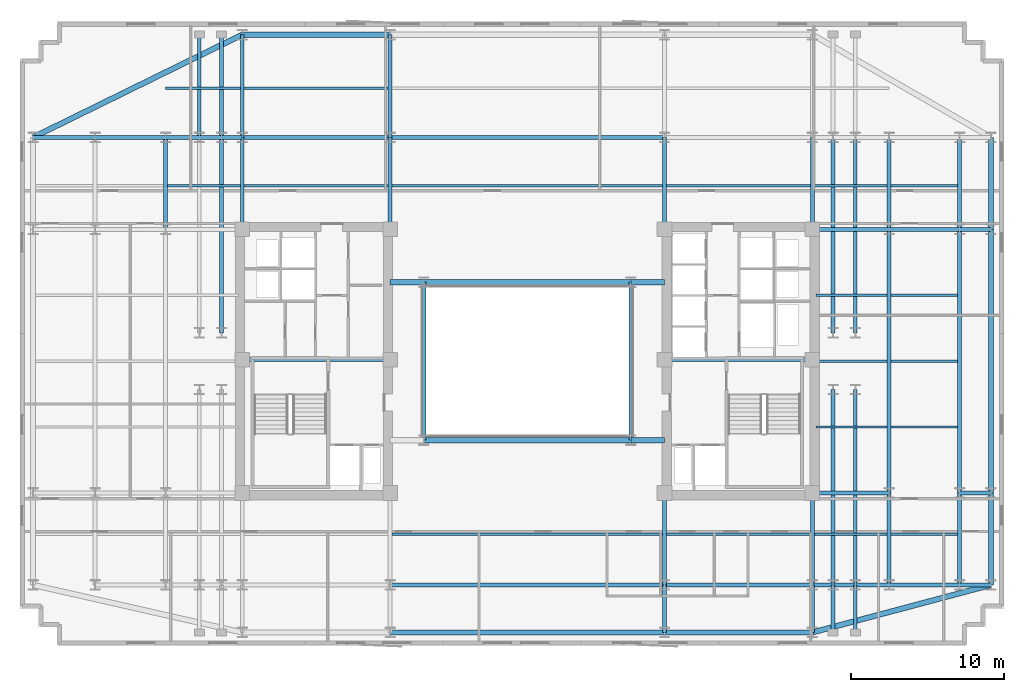
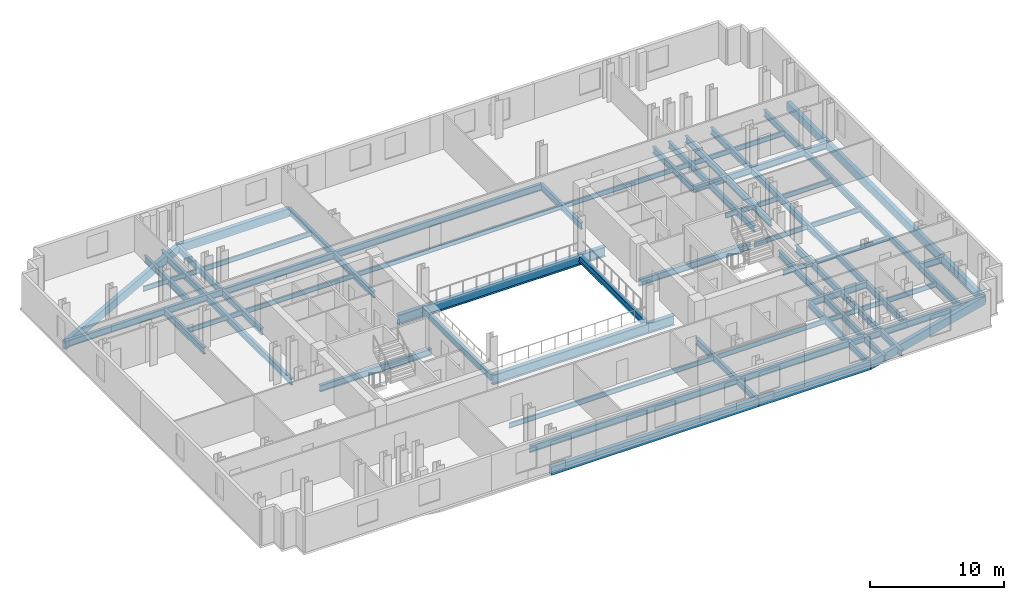
# One storey, part 2 of 9: 76 beams.
"""IFC4 building model written with IfcOpenShell, lengths in metres."""

from ifc_helpers import new_model, si_unit, direction, frame, origin, origin_2d, place, context, subcontext, project, spatial, rectangle, i_section, extrude, material, material_profile, profile_set, type_object, element, save


model = new_model("IFC4")

# Units and contexts
model_context = context("Model", 3, precision=1e-05, world=origin(), true_north=direction((0.0, 1.0)))
body_context = subcontext(model_context, "Body", "Model", "MODEL_VIEW")
ifc_project = project(units=[si_unit("LENGTHUNIT", "METRE"), si_unit("AREAUNIT", "SQUARE_METRE"), si_unit("VOLUMEUNIT", "CUBIC_METRE"), si_unit("PLANEANGLEUNIT", "RADIAN"), si_unit("MASSUNIT", "GRAM", prefix="KILO")], contexts=[model_context])

# Site, building, storey
site_placement = place(None, origin())
site = spatial("IfcSite", under=ifc_project, at=site_placement, CompositionType="ELEMENT")
building_placement = place(site_placement, origin())
building = spatial("IfcBuilding", under=site, at=building_placement, Name="Velakula Bourse", CompositionType="ELEMENT")
storey_placement = place(building_placement, frame((0.0, 0.0, 138.10009765625)))
storey = spatial("IfcBuildingStorey", under=building, at=storey_placement, Name="L37", CompositionType="ELEMENT", Elevation=138.10009765625)

# Beams
ifc_material_1 = material(Name="Steel IS 2062 Grade 350 (E350)", Category="steel")
ifc_material_profile_1 = material_profile(ifc_material_1, i_section(OverallWidth=0.25, OverallDepth=0.60009765625, WebThickness=0.01123046875, FlangeThickness=0.021240234375, at=origin_2d()), Name="Steel IS 2062 Grade 350 (E350)")
ifc_profile_set_1 = profile_set([ifc_material_profile_1], Name="Steel IS 2062 Grade 350 (E350)")
beam_type_1 = type_object("IfcBeamType", Name="BM-GRD-600M", PredefinedType="BEAM", material=ifc_profile_set_1)
for number, where, z_axis, x_axis, name in (
    (1, (-18.60009765625, 0.10009765625, -0.47998046875), (1.0, 0.0, 0.0), (0.0, 1.0, 0.0), "L37 Primary Backbone Girder CRW-M"),
    (2, (8.949951171875, 0.10009765625, -0.47998046875), (1.0, 0.0, 0.0), (0.0, 1.0, 0.0), "L37 Primary Backbone Girder CRE-M"),
):
    element("IfcBeam", number, at=place(storey_placement, frame(where, z_axis=z_axis, x_axis=x_axis)), inside=storey, type_object=beam_type_1, Name=name, PredefinedType="BEAM", context=body_context, shape_type="SweptSolid", body=[
        extrude(i_section(OverallWidth=0.25, OverallDepth=0.60009765625, WebThickness=0.01123046875, FlangeThickness=0.021240234375, at=origin_2d()), origin(), (0.0, 0.0, 1.0), 9.650146484375),
    ])
for number, where, z_axis, x_axis, name in (
    (3, (-6.75, -5.14990234375, -0.47998046875), (0.0, 1.0, 0.0), (-1.0, 0.0, 0.0), "L37 Primary Backbone Girder SPN-W"),
    (4, (6.75, -5.14990234375, -0.47998046875), (0.0, 1.0, 0.0), (-1.0, 0.0, 0.0), "L37 Primary Backbone Girder SPN-E"),
):
    element("IfcBeam", number, at=place(storey_placement, frame(where, z_axis=z_axis, x_axis=x_axis)), inside=storey, type_object=beam_type_1, Name=name, PredefinedType="BEAM", context=body_context, shape_type="SweptSolid", body=[
        extrude(i_section(OverallWidth=0.25, OverallDepth=0.60009765625, WebThickness=0.01123046875, FlangeThickness=0.021240234375, at=origin_2d()), origin(), (0.0, 0.0, 1.0), 10.2998046875),
    ])
for number, where, z_axis, x_axis, name in (
    (5, (-18.60009765625, 8.60009765625, -0.47998046875), (0.0, 1.0, 0.0), (-1.0, 0.0, 0.0), "L37 Fulcrum Grid Girder FLC-WN"),
    (6, (-8.949951171875, 8.60009765625, -0.47998046875), (0.0, 1.0, 0.0), (-1.0, 0.0, 0.0), "L37 Fulcrum Grid Girder FLC-WCN"),
    (7, (8.949951171875, -14.60009765625, -0.47998046875), (0.0, 1.0, 0.0), (-1.0, 0.0, 0.0), "L37 Fulcrum Grid Girder FLC-ECS"),
    (8, (8.949951171875, 8.60009765625, -0.47998046875), (0.0, 1.0, 0.0), (-1.0, 0.0, 0.0), "L37 Fulcrum Grid Girder FLC-ECN"),
    (9, (18.60009765625, -14.60009765625, -0.47998046875), (0.0, 1.0, 0.0), (-1.0, 0.0, 0.0), "L37 Fulcrum Grid Girder FLC-ES"),
    (10, (18.60009765625, 8.60009765625, -0.47998046875), (0.0, 1.0, 0.0), (-1.0, 0.0, 0.0), "L37 Fulcrum Grid Girder FLC-EN"),
):
    element("IfcBeam", number, at=place(storey_placement, frame(where, z_axis=z_axis, x_axis=x_axis)), inside=storey, type_object=beam_type_1, Name=name, PredefinedType="BEAM", context=body_context, shape_type="SweptSolid", body=[
        extrude(i_section(OverallWidth=0.25, OverallDepth=0.60009765625, WebThickness=0.01123046875, FlangeThickness=0.021240234375, at=origin_2d()), origin(), (0.0, 0.0, 1.0), 6.0),
    ])
beam_1_placement = place(storey_placement, frame((-8.949951171875, -14.60009765625, -0.47998046875), z_axis=(1.0, 0.0, 0.0), x_axis=(0.0, 1.0, 0.0)))
element("IfcBeam", 11, at=beam_1_placement, inside=storey, type_object=beam_type_1, Name="L37 Fulcrum Grid Girder FLC-S2", PredefinedType="BEAM", context=body_context, shape_type="SweptSolid", body=[
    extrude(i_section(OverallWidth=0.25, OverallDepth=0.60009765625, WebThickness=0.01123046875, FlangeThickness=0.021240234375, at=origin_2d()), origin(), (0.0, 0.0, 1.0), 17.89990234375),
])
for number, where, z_axis, x_axis, name in (
    (12, (8.949951171875, -14.60009765625, -0.47998046875), (1.0, 0.0, 0.0), (0.0, 1.0, 0.0), "L37 Fulcrum Grid Girder FLC-S3"),
    (13, (-18.60009765625, 14.60009765625, -0.47998046875), (1.0, 0.0, 0.0), (0.0, 1.0, 0.0), "L37 Fulcrum Grid Girder FLC-N1"),
):
    element("IfcBeam", number, at=place(storey_placement, frame(where, z_axis=z_axis, x_axis=x_axis)), inside=storey, type_object=beam_type_1, Name=name, PredefinedType="BEAM", context=body_context, shape_type="SweptSolid", body=[
        extrude(i_section(OverallWidth=0.25, OverallDepth=0.60009765625, WebThickness=0.01123046875, FlangeThickness=0.021240234375, at=origin_2d()), origin(), (0.0, 0.0, 1.0), 9.650146484375),
    ])
beam_2_placement = place(storey_placement, frame((-8.949951171875, 14.60009765625, -0.47998046875), z_axis=(1.0, 0.0, 0.0), x_axis=(0.0, 1.0, 0.0)))
element("IfcBeam", 14, at=beam_2_placement, inside=storey, type_object=beam_type_1, Name="L37 Fulcrum Grid Girder FLC-N2", PredefinedType="BEAM", context=body_context, shape_type="SweptSolid", body=[
    extrude(i_section(OverallWidth=0.25, OverallDepth=0.60009765625, WebThickness=0.01123046875, FlangeThickness=0.021240234375, at=origin_2d()), origin(), (0.0, 0.0, 1.0), 17.89990234375),
])
for number, where, z_axis, x_axis, name in (
    (15, (-19.949951171875, 1.85009765625, -0.47998046875), (0.0, 1.0, 0.0), (-1.0, 0.0, 0.0), "L37 Fulcrum Grid Girder FLC-PNW2"),
    (16, (19.949951171875, -14.60009765625, -0.47998046875), (0.0, 1.0, 0.0), (-1.0, 0.0, 0.0), "L37 Fulcrum Grid Girder FLC-PSE1"),
    (17, (19.949951171875, 1.85009765625, -0.47998046875), (0.0, 1.0, 0.0), (-1.0, 0.0, 0.0), "L37 Fulcrum Grid Girder FLC-PNE1"),
    (18, (21.39990234375, -14.60009765625, -0.47998046875), (0.0, 1.0, 0.0), (-1.0, 0.0, 0.0), "L37 Fulcrum Grid Girder FLC-PSE2"),
    (19, (21.39990234375, 1.85009765625, -0.47998046875), (0.0, 1.0, 0.0), (-1.0, 0.0, 0.0), "L37 Fulcrum Grid Girder FLC-PNE2"),
):
    element("IfcBeam", number, at=place(storey_placement, frame(where, z_axis=z_axis, x_axis=x_axis)), inside=storey, type_object=beam_type_1, Name=name, PredefinedType="BEAM", context=body_context, shape_type="SweptSolid", body=[
        extrude(i_section(OverallWidth=0.25, OverallDepth=0.60009765625, WebThickness=0.01123046875, FlangeThickness=0.021240234375, at=origin_2d()), origin(), (0.0, 0.0, 1.0), 12.75),
    ])
beam_3_placement = place(storey_placement, frame((-23.60009765625, 14.60009765625, -0.47998046875), z_axis=(1.0, 0.0, 0.0), x_axis=(0.0, 1.0, 0.0)))
element("IfcBeam", 20, at=beam_3_placement, inside=storey, type_object=beam_type_1, Name="L37 Fulcrum Grid Girder MWG-WN2", PredefinedType="BEAM", context=body_context, shape_type="SweptSolid", body=[
    extrude(i_section(OverallWidth=0.25, OverallDepth=0.60009765625, WebThickness=0.01123046875, FlangeThickness=0.021240234375, at=origin_2d()), origin(), (0.0, 0.0, 1.0), 5.0),
])
beam_4_placement = place(storey_placement, frame((-23.60009765625, 8.60009765625, -0.47998046875), z_axis=(0.0, 1.0, 0.0), x_axis=(-1.0, 0.0, 0.0)))
element("IfcBeam", 21, at=beam_4_placement, inside=storey, type_object=beam_type_1, Name="L37 Fulcrum Grid Girder MWG-WNS3", PredefinedType="BEAM", context=body_context, shape_type="SweptSolid", body=[
    extrude(i_section(OverallWidth=0.25, OverallDepth=0.60009765625, WebThickness=0.01123046875, FlangeThickness=0.021240234375, at=origin_2d()), origin(), (0.0, 0.0, 1.0), 6.0),
])
for number, where, z_axis, x_axis, name in (
    (22, (18.60009765625, -14.60009765625, -0.47998046875), (1.0, 0.0, 0.0), (0.0, 1.0, 0.0), "L37 Fulcrum Grid Girder MWG-ES1"),
    (23, (18.60009765625, -8.60009765625, -0.47998046875), (1.0, 0.0, 0.0), (0.0, 1.0, 0.0), "L37 Fulcrum Grid Girder MWG-ES2"),
    (24, (18.60009765625, 8.60009765625, -0.47998046875), (1.0, 0.0, 0.0), (0.0, 1.0, 0.0), "L37 Fulcrum Grid Girder MWG-EN1"),
):
    element("IfcBeam", number, at=place(storey_placement, frame(where, z_axis=z_axis, x_axis=x_axis)), inside=storey, type_object=beam_type_1, Name=name, PredefinedType="BEAM", context=body_context, shape_type="SweptSolid", body=[
        extrude(i_section(OverallWidth=0.25, OverallDepth=0.60009765625, WebThickness=0.01123046875, FlangeThickness=0.021240234375, at=origin_2d()), origin(), (0.0, 0.0, 1.0), 5.0),
    ])
beam_5_placement = place(storey_placement, frame((23.60009765625, -14.60009765625, -0.47998046875), z_axis=(0.0, 1.0, 0.0), x_axis=(-1.0, 0.0, 0.0)))
element("IfcBeam", 25, at=beam_5_placement, inside=storey, type_object=beam_type_1, Name="L37 Fulcrum Grid Girder MWG-ENS1", PredefinedType="BEAM", context=body_context, shape_type="SweptSolid", body=[
    extrude(i_section(OverallWidth=0.25, OverallDepth=0.60009765625, WebThickness=0.01123046875, FlangeThickness=0.021240234375, at=origin_2d()), origin(), (0.0, 0.0, 1.0), 6.0),
])
beam_6_placement = place(storey_placement, frame((23.60009765625, -8.60009765625, -0.47998046875), z_axis=(0.0, 1.0, 0.0), x_axis=(-1.0, 0.0, 0.0)))
element("IfcBeam", 26, at=beam_6_placement, inside=storey, type_object=beam_type_1, Name="L37 Fulcrum Grid Girder MWG-ENS2", PredefinedType="BEAM", context=body_context, shape_type="SweptSolid", body=[
    extrude(i_section(OverallWidth=0.25, OverallDepth=0.60009765625, WebThickness=0.01123046875, FlangeThickness=0.021240234375, at=origin_2d()), origin(), (0.0, 0.0, 1.0), 17.2001953125),
])
beam_7_placement = place(storey_placement, frame((23.60009765625, 8.60009765625, -0.47998046875), z_axis=(0.0, 1.0, 0.0), x_axis=(-1.0, 0.0, 0.0)))
element("IfcBeam", 27, at=beam_7_placement, inside=storey, type_object=beam_type_1, Name="L37 Fulcrum Grid Girder MWG-ENS3", PredefinedType="BEAM", context=body_context, shape_type="SweptSolid", body=[
    extrude(i_section(OverallWidth=0.25, OverallDepth=0.60009765625, WebThickness=0.01123046875, FlangeThickness=0.021240234375, at=origin_2d()), origin(), (0.0, 0.0, 1.0), 6.0),
])
for number, where, z_axis, x_axis, name in (
    (28, (-28.199951171875, 14.60009765625, -0.47998046875), (1.0, 0.0, 0.0), (0.0, 1.0, 0.0), "L37 Fulcrum Grid Girder WNG-WN2"),
    (29, (23.60009765625, -14.60009765625, -0.47998046875), (1.0, 0.0, 0.0), (0.0, 1.0, 0.0), "L37 Fulcrum Grid Girder WNG-ES1"),
    (30, (23.60009765625, 8.60009765625, -0.47998046875), (1.0, 0.0, 0.0), (0.0, 1.0, 0.0), "L37 Fulcrum Grid Girder WNG-EN1"),
):
    element("IfcBeam", number, at=place(storey_placement, frame(where, z_axis=z_axis, x_axis=x_axis)), inside=storey, type_object=beam_type_1, Name=name, PredefinedType="BEAM", context=body_context, shape_type="SweptSolid", body=[
        extrude(i_section(OverallWidth=0.25, OverallDepth=0.60009765625, WebThickness=0.01123046875, FlangeThickness=0.021240234375, at=origin_2d()), origin(), (0.0, 0.0, 1.0), 4.599853515625),
    ])
beam_8_placement = place(storey_placement, frame((28.199951171875, -14.60009765625, -0.47998046875), z_axis=(0.0, 1.0, 0.0), x_axis=(-1.0, 0.0, 0.0)))
element("IfcBeam", 31, at=beam_8_placement, inside=storey, type_object=beam_type_1, Name="L37 Fulcrum Grid Girder WNG-ENS1", PredefinedType="BEAM", context=body_context, shape_type="SweptSolid", body=[
    extrude(i_section(OverallWidth=0.25, OverallDepth=0.60009765625, WebThickness=0.01123046875, FlangeThickness=0.021240234375, at=origin_2d()), origin(), (0.0, 0.0, 1.0), 6.0),
])
beam_9_placement = place(storey_placement, frame((28.199951171875, -8.60009765625, -0.47998046875), z_axis=(0.0, 1.0, 0.0), x_axis=(-1.0, 0.0, 0.0)))
element("IfcBeam", 32, at=beam_9_placement, inside=storey, type_object=beam_type_1, Name="L37 Fulcrum Grid Girder WNG-ENS2", PredefinedType="BEAM", context=body_context, shape_type="SweptSolid", body=[
    extrude(i_section(OverallWidth=0.25, OverallDepth=0.60009765625, WebThickness=0.01123046875, FlangeThickness=0.021240234375, at=origin_2d()), origin(), (0.0, 0.0, 1.0), 17.2001953125),
])
beam_10_placement = place(storey_placement, frame((28.199951171875, 8.60009765625, -0.47998046875), z_axis=(0.0, 1.0, 0.0), x_axis=(-1.0, 0.0, 0.0)))
element("IfcBeam", 33, at=beam_10_placement, inside=storey, type_object=beam_type_1, Name="L37 Fulcrum Grid Girder WNG-ENS3", PredefinedType="BEAM", context=body_context, shape_type="SweptSolid", body=[
    extrude(i_section(OverallWidth=0.25, OverallDepth=0.60009765625, WebThickness=0.01123046875, FlangeThickness=0.021240234375, at=origin_2d()), origin(), (0.0, 0.0, 1.0), 6.0),
])
for number, where, z_axis, x_axis, name in (
    (34, (8.949951171875, -14.60009765625, -0.47998046875), (0.0, -1.0, 0.0), (1.0, 0.0, 0.0), "L37 Perimeter Tie Girder S3"),
    (35, (18.60009765625, -14.60009765625, -0.47998046875), (0.0, -1.0, 0.0), (1.0, 0.0, 0.0), "L37 Perimeter Tie Girder S4"),
):
    element("IfcBeam", number, at=place(storey_placement, frame(where, z_axis=z_axis, x_axis=x_axis)), inside=storey, type_object=beam_type_1, Name=name, PredefinedType="BEAM", context=body_context, shape_type="SweptSolid", body=[
        extrude(i_section(OverallWidth=0.25, OverallDepth=0.60009765625, WebThickness=0.01123046875, FlangeThickness=0.021240234375, at=origin_2d()), origin(), (0.0, 0.0, 1.0), 3.099853515625),
    ])
for number, where, z_axis, x_axis, name in (
    (36, (-18.60009765625, 14.60009765625, -0.47998046875), (0.0, 1.0, 0.0), (-1.0, 0.0, 0.0), "L37 Perimeter Tie Girder N1"),
    (37, (-8.949951171875, 14.60009765625, -0.47998046875), (0.0, 1.0, 0.0), (-1.0, 0.0, 0.0), "L37 Perimeter Tie Girder N2"),
):
    element("IfcBeam", number, at=place(storey_placement, frame(where, z_axis=z_axis, x_axis=x_axis)), inside=storey, type_object=beam_type_1, Name=name, PredefinedType="BEAM", context=body_context, shape_type="SweptSolid", body=[
        extrude(i_section(OverallWidth=0.25, OverallDepth=0.60009765625, WebThickness=0.01123046875, FlangeThickness=0.021240234375, at=origin_2d()), origin(), (0.0, 0.0, 1.0), 6.699951171875),
    ])
beam_11_placement = place(storey_placement, frame((-28.199951171875, 14.60009765625, -0.47998046875), z_axis=(-1.0, 0.0, 0.0), x_axis=(0.0, -1.0, 0.0)))
element("IfcBeam", 38, at=beam_11_placement, inside=storey, type_object=beam_type_1, Name="L37 Perimeter Tie Girder W4", PredefinedType="BEAM", context=body_context, shape_type="SweptSolid", body=[
    extrude(i_section(OverallWidth=0.25, OverallDepth=0.60009765625, WebThickness=0.01123046875, FlangeThickness=0.021240234375, at=origin_2d()), origin(), (0.0, 0.0, 1.0), 4.050048828125),
])
for number, where, z_axis, x_axis, name in (
    (39, (28.199951171875, -14.60009765625, -0.47998046875), (1.0, 0.0, 0.0), (0.0, 1.0, 0.0), "L37 Perimeter Tie Girder E1"),
    (40, (28.199951171875, -8.60009765625, -0.47998046875), (1.0, 0.0, 0.0), (0.0, 1.0, 0.0), "L37 Perimeter Tie Girder E2"),
    (41, (28.199951171875, 8.60009765625, -0.47998046875), (1.0, 0.0, 0.0), (0.0, 1.0, 0.0), "L37 Perimeter Tie Girder E3"),
):
    element("IfcBeam", number, at=place(storey_placement, frame(where, z_axis=z_axis, x_axis=x_axis)), inside=storey, type_object=beam_type_1, Name=name, PredefinedType="BEAM", context=body_context, shape_type="SweptSolid", body=[
        extrude(i_section(OverallWidth=0.25, OverallDepth=0.60009765625, WebThickness=0.01123046875, FlangeThickness=0.021240234375, at=origin_2d()), origin(), (0.0, 0.0, 1.0), 2.050048828125),
    ])
for number, where, z_axis, x_axis, name in (
    (42, (19.949951171875, -14.60009765625, -0.47998046875), (0.0, -1.0, 0.0), (1.0, 0.0, 0.0), "L37 Perimeter Tie Girder P03"),
    (43, (21.39990234375, -14.60009765625, -0.47998046875), (0.0, -1.0, 0.0), (1.0, 0.0, 0.0), "L37 Perimeter Tie Girder P04"),
):
    element("IfcBeam", number, at=place(storey_placement, frame(where, z_axis=z_axis, x_axis=x_axis)), inside=storey, type_object=beam_type_1, Name=name, PredefinedType="BEAM", context=body_context, shape_type="SweptSolid", body=[
        extrude(i_section(OverallWidth=0.25, OverallDepth=0.60009765625, WebThickness=0.01123046875, FlangeThickness=0.021240234375, at=origin_2d()), origin(), (0.0, 0.0, 1.0), 3.099853515625),
    ])
for number, where, z_axis, x_axis, name in (
    (44, (-21.39990234375, 14.60009765625, -0.47998046875), (0.0, 1.0, 0.0), (-1.0, 0.0, 0.0), "L37 Perimeter Tie Girder P05"),
    (45, (-19.949951171875, 14.60009765625, -0.47998046875), (0.0, 1.0, 0.0), (-1.0, 0.0, 0.0), "L37 Perimeter Tie Girder P06"),
):
    element("IfcBeam", number, at=place(storey_placement, frame(where, z_axis=z_axis, x_axis=x_axis)), inside=storey, type_object=beam_type_1, Name=name, PredefinedType="BEAM", context=body_context, shape_type="SweptSolid", body=[
        extrude(i_section(OverallWidth=0.25, OverallDepth=0.60009765625, WebThickness=0.01123046875, FlangeThickness=0.021240234375, at=origin_2d()), origin(), (0.0, 0.0, 1.0), 6.699951171875),
    ])
ifc_material_profile_2 = material_profile(ifc_material_1, i_section(OverallWidth=0.35009765625, OverallDepth=0.89990234375, WebThickness=0.02001953125, FlangeThickness=0.031982421875, at=origin_2d()), Name="Steel IS 2062 Grade 350 (E350)")
ifc_profile_set_2 = profile_set([ifc_material_profile_2], Name="Steel IS 2062 Grade 350 (E350)")
beam_type_2 = type_object("IfcBeamType", Name="BM-LNK-900", PredefinedType="BEAM", material=ifc_profile_set_2)
beam_12_placement = place(storey_placement, frame((-6.75, -5.14990234375, -0.630126953125), z_axis=(1.0, 0.0, 0.0), x_axis=(0.0, 1.0, 0.0)))
element("IfcBeam", 46, at=beam_12_placement, inside=storey, type_object=beam_type_2, Name="L37 Primary Backbone Girder LNK-S2", PredefinedType="BEAM", context=body_context, shape_type="SweptSolid", body=[
    extrude(i_section(OverallWidth=0.35009765625, OverallDepth=0.89990234375, WebThickness=0.02001953125, FlangeThickness=0.031982421875, at=origin_2d()), origin(), (0.0, 0.0, 1.0), 13.5),
])
for number, where, z_axis, x_axis, name in (
    (47, (6.75, -5.14990234375, -0.630126953125), (1.0, 0.0, 0.0), (0.0, 1.0, 0.0), "L37 Primary Backbone Girder LNK-S3"),
    (48, (-8.949951171875, 5.14990234375, -0.630126953125), (1.0, 0.0, 0.0), (0.0, 1.0, 0.0), "L37 Primary Backbone Girder LNK-N1"),
):
    element("IfcBeam", number, at=place(storey_placement, frame(where, z_axis=z_axis, x_axis=x_axis)), inside=storey, type_object=beam_type_2, Name=name, PredefinedType="BEAM", context=body_context, shape_type="SweptSolid", body=[
        extrude(i_section(OverallWidth=0.35009765625, OverallDepth=0.89990234375, WebThickness=0.02001953125, FlangeThickness=0.031982421875, at=origin_2d()), origin(), (0.0, 0.0, 1.0), 2.199951171875),
    ])
beam_13_placement = place(storey_placement, frame((-6.75, 5.14990234375, -0.630126953125), z_axis=(1.0, 0.0, 0.0), x_axis=(0.0, 1.0, 0.0)))
element("IfcBeam", 49, at=beam_13_placement, inside=storey, type_object=beam_type_2, Name="L37 Primary Backbone Girder LNK-N2", PredefinedType="BEAM", context=body_context, shape_type="SweptSolid", body=[
    extrude(i_section(OverallWidth=0.35009765625, OverallDepth=0.89990234375, WebThickness=0.02001953125, FlangeThickness=0.031982421875, at=origin_2d()), origin(), (0.0, 0.0, 1.0), 13.5),
])
beam_14_placement = place(storey_placement, frame((6.75, 5.14990234375, -0.630126953125), z_axis=(1.0, 0.0, 0.0), x_axis=(0.0, 1.0, 0.0)))
element("IfcBeam", 50, at=beam_14_placement, inside=storey, type_object=beam_type_2, Name="L37 Primary Backbone Girder LNK-N3", PredefinedType="BEAM", context=body_context, shape_type="SweptSolid", body=[
    extrude(i_section(OverallWidth=0.35009765625, OverallDepth=0.89990234375, WebThickness=0.02001953125, FlangeThickness=0.031982421875, at=origin_2d()), origin(), (0.0, 0.0, 1.0), 2.199951171875),
])
ifc_material_profile_3 = material_profile(ifc_material_1, i_section(OverallWidth=0.14990234375, OverallDepth=0.449951171875, WebThickness=0.009521484375, FlangeThickness=0.017333984375, at=origin_2d()), Name="Steel IS 2062 Grade 350 (E350)")
ifc_profile_set_3 = profile_set([ifc_material_profile_3], Name="Steel IS 2062 Grade 350 (E350)")
beam_type_3 = type_object("IfcBeamType", Name="JST-TWR-450", PredefinedType="JOIST", material=ifc_profile_set_3)
beam_15_placement = place(storey_placement, frame((-8.824951171875, -11.300048828125, -0.405029296875), z_axis=(1.0, 0.0, 0.0), x_axis=(0.0, 1.0, 0.0)))
element("IfcBeam", 51, at=beam_15_placement, inside=storey, type_object=beam_type_3, Name="L37 Trading Floor Composite Joist 05", PredefinedType="JOIST", context=body_context, shape_type="SweptSolid", body=[
    extrude(i_section(OverallWidth=0.14990234375, OverallDepth=0.449951171875, WebThickness=0.009521484375, FlangeThickness=0.017333984375, at=origin_2d()), origin(), (0.0, 0.0, 1.0), 17.64990234375),
])
beam_16_placement = place(storey_placement, frame((9.074951171875, -11.300048828125, -0.405029296875), z_axis=(1.0, 0.0, 0.0), x_axis=(0.0, 1.0, 0.0)))
element("IfcBeam", 52, at=beam_16_placement, inside=storey, type_object=beam_type_3, Name="L37 Trading Floor Composite Joist 06", PredefinedType="JOIST", context=body_context, shape_type="SweptSolid", body=[
    extrude(i_section(OverallWidth=0.14990234375, OverallDepth=0.449951171875, WebThickness=0.009521484375, FlangeThickness=0.017333984375, at=origin_2d()), origin(), (0.0, 0.0, 1.0), 9.400146484375),
])
beam_17_placement = place(storey_placement, frame((18.72509765625, -11.300048828125, -0.405029296875), z_axis=(1.0, 0.0, 0.0), x_axis=(0.0, 1.0, 0.0)))
element("IfcBeam", 53, at=beam_17_placement, inside=storey, type_object=beam_type_3, Name="L37 Trading Floor Composite Joist 07", PredefinedType="JOIST", context=body_context, shape_type="SweptSolid", body=[
    extrude(i_section(OverallWidth=0.14990234375, OverallDepth=0.449951171875, WebThickness=0.009521484375, FlangeThickness=0.017333984375, at=origin_2d()), origin(), (0.0, 0.0, 1.0), 4.75),
])
beam_18_placement = place(storey_placement, frame((23.72509765625, -11.300048828125, -0.405029296875), z_axis=(1.0, 0.0, 0.0), x_axis=(0.0, 1.0, 0.0)))
element("IfcBeam", 54, at=beam_18_placement, inside=storey, type_object=beam_type_3, Name="L37 Trading Floor Composite Joist 08", PredefinedType="JOIST", context=body_context, shape_type="SweptSolid", body=[
    extrude(i_section(OverallWidth=0.14990234375, OverallDepth=0.449951171875, WebThickness=0.009521484375, FlangeThickness=0.017333984375, at=origin_2d()), origin(), (0.0, 0.0, 1.0), 4.349853515625),
])
beam_19_placement = place(storey_placement, frame((-23.47509765625, 11.449951171875, -0.405029296875), z_axis=(1.0, 0.0, 0.0), x_axis=(0.0, 1.0, 0.0)))
element("IfcBeam", 55, at=beam_19_placement, inside=storey, type_object=beam_type_3, Name="L37 Trading Floor Composite Joist 11", PredefinedType="JOIST", context=body_context, shape_type="SweptSolid", body=[
    extrude(i_section(OverallWidth=0.14990234375, OverallDepth=0.449951171875, WebThickness=0.009521484375, FlangeThickness=0.017333984375, at=origin_2d()), origin(), (0.0, 0.0, 1.0), 4.75),
])
beam_20_placement = place(storey_placement, frame((-18.47509765625, 11.449951171875, -0.405029296875), z_axis=(1.0, 0.0, 0.0), x_axis=(0.0, 1.0, 0.0)))
element("IfcBeam", 56, at=beam_20_placement, inside=storey, type_object=beam_type_3, Name="L37 Trading Floor Composite Joist 12", PredefinedType="JOIST", context=body_context, shape_type="SweptSolid", body=[
    extrude(i_section(OverallWidth=0.14990234375, OverallDepth=0.449951171875, WebThickness=0.009521484375, FlangeThickness=0.017333984375, at=origin_2d()), origin(), (0.0, 0.0, 1.0), 9.400146484375),
])
beam_21_placement = place(storey_placement, frame((-8.824951171875, 11.449951171875, -0.405029296875), z_axis=(1.0, 0.0, 0.0), x_axis=(0.0, 1.0, 0.0)))
element("IfcBeam", 57, at=beam_21_placement, inside=storey, type_object=beam_type_3, Name="L37 Trading Floor Composite Joist 13", PredefinedType="JOIST", context=body_context, shape_type="SweptSolid", body=[
    extrude(i_section(OverallWidth=0.14990234375, OverallDepth=0.449951171875, WebThickness=0.009521484375, FlangeThickness=0.017333984375, at=origin_2d()), origin(), (0.0, 0.0, 1.0), 17.64990234375),
])
beam_22_placement = place(storey_placement, frame((9.074951171875, 11.449951171875, -0.405029296875), z_axis=(1.0, 0.0, 0.0), x_axis=(0.0, 1.0, 0.0)))
element("IfcBeam", 58, at=beam_22_placement, inside=storey, type_object=beam_type_3, Name="L37 Trading Floor Composite Joist 14", PredefinedType="JOIST", context=body_context, shape_type="SweptSolid", body=[
    extrude(i_section(OverallWidth=0.14990234375, OverallDepth=0.449951171875, WebThickness=0.009521484375, FlangeThickness=0.017333984375, at=origin_2d()), origin(), (0.0, 0.0, 1.0), 9.400146484375),
])
beam_23_placement = place(storey_placement, frame((18.72509765625, 11.449951171875, -0.405029296875), z_axis=(1.0, 0.0, 0.0), x_axis=(0.0, 1.0, 0.0)))
element("IfcBeam", 59, at=beam_23_placement, inside=storey, type_object=beam_type_3, Name="L37 Trading Floor Composite Joist 15", PredefinedType="JOIST", context=body_context, shape_type="SweptSolid", body=[
    extrude(i_section(OverallWidth=0.14990234375, OverallDepth=0.449951171875, WebThickness=0.009521484375, FlangeThickness=0.017333984375, at=origin_2d()), origin(), (0.0, 0.0, 1.0), 4.75),
])
beam_24_placement = place(storey_placement, frame((23.72509765625, 11.449951171875, -0.405029296875), z_axis=(1.0, 0.0, 0.0), x_axis=(0.0, 1.0, 0.0)))
element("IfcBeam", 60, at=beam_24_placement, inside=storey, type_object=beam_type_3, Name="L37 Trading Floor Composite Joist 16", PredefinedType="JOIST", context=body_context, shape_type="SweptSolid", body=[
    extrude(i_section(OverallWidth=0.14990234375, OverallDepth=0.449951171875, WebThickness=0.009521484375, FlangeThickness=0.017333984375, at=origin_2d()), origin(), (0.0, 0.0, 1.0), 4.349853515625),
])
beam_25_placement = place(storey_placement, frame((-23.60009765625, 17.800048828125, -0.405029296875), z_axis=(1.0, 0.0, 0.0), x_axis=(0.0, 1.0, 0.0)))
element("IfcBeam", 61, at=beam_25_placement, inside=storey, type_object=beam_type_3, Name="L37 Trading Floor Composite Joist 17", PredefinedType="JOIST", context=body_context, shape_type="SweptSolid", body=[
    extrude(i_section(OverallWidth=0.14990234375, OverallDepth=0.449951171875, WebThickness=0.009521484375, FlangeThickness=0.017333984375, at=origin_2d()), origin(), (0.0, 0.0, 1.0), 4.875),
])
beam_26_placement = place(storey_placement, frame((-18.47509765625, 17.800048828125, -0.405029296875), z_axis=(1.0, 0.0, 0.0), x_axis=(0.0, 1.0, 0.0)))
element("IfcBeam", 62, at=beam_26_placement, inside=storey, type_object=beam_type_3, Name="L37 Trading Floor Composite Joist 18", PredefinedType="JOIST", context=body_context, shape_type="SweptSolid", body=[
    extrude(i_section(OverallWidth=0.14990234375, OverallDepth=0.449951171875, WebThickness=0.009521484375, FlangeThickness=0.017333984375, at=origin_2d()), origin(), (0.0, 0.0, 1.0), 9.400146484375),
])
beam_27_placement = place(storey_placement, frame((18.85009765625, -4.300048828125, -0.405029296875), z_axis=(1.0, 0.0, 0.0), x_axis=(0.0, 1.0, 0.0)))
element("IfcBeam", 63, at=beam_27_placement, inside=storey, type_object=beam_type_3, Name="L37 Trading Floor Composite Joist 28", PredefinedType="JOIST", context=body_context, shape_type="SweptSolid", body=[
    extrude(i_section(OverallWidth=0.14990234375, OverallDepth=0.449951171875, WebThickness=0.009521484375, FlangeThickness=0.017333984375, at=origin_2d()), origin(), (0.0, 0.0, 1.0), 4.625),
])
beam_28_placement = place(storey_placement, frame((23.72509765625, -4.300048828125, -0.405029296875), z_axis=(1.0, 0.0, 0.0), x_axis=(0.0, 1.0, 0.0)))
element("IfcBeam", 64, at=beam_28_placement, inside=storey, type_object=beam_type_3, Name="L37 Trading Floor Composite Joist 29", PredefinedType="JOIST", context=body_context, shape_type="SweptSolid", body=[
    extrude(i_section(OverallWidth=0.14990234375, OverallDepth=0.449951171875, WebThickness=0.009521484375, FlangeThickness=0.017333984375, at=origin_2d()), origin(), (0.0, 0.0, 1.0), 4.349853515625),
])
beam_29_placement = place(storey_placement, frame((18.85009765625, 0.0, -0.405029296875), z_axis=(1.0, 0.0, 0.0), x_axis=(0.0, 1.0, 0.0)))
element("IfcBeam", 65, at=beam_29_placement, inside=storey, type_object=beam_type_3, Name="L37 Trading Floor Composite Joist 33", PredefinedType="JOIST", context=body_context, shape_type="SweptSolid", body=[
    extrude(i_section(OverallWidth=0.14990234375, OverallDepth=0.449951171875, WebThickness=0.009521484375, FlangeThickness=0.017333984375, at=origin_2d()), origin(), (0.0, 0.0, 1.0), 4.625),
])
beam_30_placement = place(storey_placement, frame((23.72509765625, 0.0, -0.405029296875), z_axis=(1.0, 0.0, 0.0), x_axis=(0.0, 1.0, 0.0)))
element("IfcBeam", 66, at=beam_30_placement, inside=storey, type_object=beam_type_3, Name="L37 Trading Floor Composite Joist 34", PredefinedType="JOIST", context=body_context, shape_type="SweptSolid", body=[
    extrude(i_section(OverallWidth=0.14990234375, OverallDepth=0.449951171875, WebThickness=0.009521484375, FlangeThickness=0.017333984375, at=origin_2d()), origin(), (0.0, 0.0, 1.0), 4.349853515625),
])
beam_31_placement = place(storey_placement, frame((18.85009765625, 4.300048828125, -0.405029296875), z_axis=(1.0, 0.0, 0.0), x_axis=(0.0, 1.0, 0.0)))
element("IfcBeam", 67, at=beam_31_placement, inside=storey, type_object=beam_type_3, Name="L37 Trading Floor Composite Joist 38", PredefinedType="JOIST", context=body_context, shape_type="SweptSolid", body=[
    extrude(i_section(OverallWidth=0.14990234375, OverallDepth=0.449951171875, WebThickness=0.009521484375, FlangeThickness=0.017333984375, at=origin_2d()), origin(), (0.0, 0.0, 1.0), 4.625),
])
beam_32_placement = place(storey_placement, frame((23.72509765625, 4.300048828125, -0.405029296875), z_axis=(1.0, 0.0, 0.0), x_axis=(0.0, 1.0, 0.0)))
element("IfcBeam", 68, at=beam_32_placement, inside=storey, type_object=beam_type_3, Name="L37 Trading Floor Composite Joist 39", PredefinedType="JOIST", context=body_context, shape_type="SweptSolid", body=[
    extrude(i_section(OverallWidth=0.14990234375, OverallDepth=0.449951171875, WebThickness=0.009521484375, FlangeThickness=0.017333984375, at=origin_2d()), origin(), (0.0, 0.0, 1.0), 4.349853515625),
])
ifc_material_2 = material(Name="Precast concrete M45 (fck 45 MPa)", Category="concrete")
ifc_material_profile_4 = material_profile(ifc_material_2, rectangle(XDim=0.35009765625, YDim=0.75, at=origin_2d()), Name="Precast concrete M45 (fck 45 MPa)")
ifc_profile_set_4 = profile_set([ifc_material_profile_4], Name="Precast concrete M45 (fck 45 MPa)")
beam_type_4 = type_object("IfcBeamType", Name="SPN-BRICK-750", PredefinedType="SPANDREL", material=ifc_profile_set_4)
beam_33_placement = place(storey_placement, frame((-8.949951171875, -17.699951171875, -0.55517578125), z_axis=(1.0, 0.0, 0.0), x_axis=(0.0, 1.0, 0.0)))
element("IfcBeam", 69, at=beam_33_placement, inside=storey, type_object=beam_type_4, Name="L37 Brick-Faced Precast Spandrel S2-S3", PredefinedType="SPANDREL", context=body_context, shape_type="SweptSolid", body=[
    extrude(rectangle(XDim=0.35009765625, YDim=0.75, at=origin_2d()), origin(), (0.0, 0.0, 1.0), 17.89990234375),
])
for number, where, z_axis, x_axis, name in (
    (70, (8.949951171875, -17.699951171875, -0.55517578125), (1.0, 0.0, 0.0), (0.0, 1.0, 0.0), "L37 Brick-Faced Precast Spandrel S3-S4"),
    (71, (-18.60009765625, 21.300048828125, -0.55517578125), (1.0, 0.0, 0.0), (0.0, 1.0, 0.0), "L37 Brick-Faced Precast Spandrel N1-N2"),
):
    element("IfcBeam", number, at=place(storey_placement, frame(where, z_axis=z_axis, x_axis=x_axis)), inside=storey, type_object=beam_type_4, Name=name, PredefinedType="SPANDREL", context=body_context, shape_type="SweptSolid", body=[
        extrude(rectangle(XDim=0.35009765625, YDim=0.75, at=origin_2d()), origin(), (0.0, 0.0, 1.0), 9.650146484375),
    ])
beam_34_placement = place(storey_placement, frame((30.25, -14.60009765625, -0.55517578125), z_axis=(0.0, 1.0, 0.0), x_axis=(-1.0, 0.0, 0.0)))
element("IfcBeam", 72, at=beam_34_placement, inside=storey, type_object=beam_type_4, Name="L37 Brick-Faced Precast Spandrel E1-E2", PredefinedType="SPANDREL", context=body_context, shape_type="SweptSolid", body=[
    extrude(rectangle(XDim=0.35009765625, YDim=0.75, at=origin_2d()), origin(), (0.0, 0.0, 1.0), 6.0),
])
beam_35_placement = place(storey_placement, frame((30.25, -8.60009765625, -0.55517578125), z_axis=(0.0, 1.0, 0.0), x_axis=(-1.0, 0.0, 0.0)))
element("IfcBeam", 73, at=beam_35_placement, inside=storey, type_object=beam_type_4, Name="L37 Brick-Faced Precast Spandrel E2-E3", PredefinedType="SPANDREL", context=body_context, shape_type="SweptSolid", body=[
    extrude(rectangle(XDim=0.35009765625, YDim=0.75, at=origin_2d()), origin(), (0.0, 0.0, 1.0), 17.2001953125),
])
beam_36_placement = place(storey_placement, frame((30.25, 8.60009765625, -0.55517578125), z_axis=(0.0, 1.0, 0.0), x_axis=(-1.0, 0.0, 0.0)))
element("IfcBeam", 74, at=beam_36_placement, inside=storey, type_object=beam_type_4, Name="L37 Brick-Faced Precast Spandrel E3-E4", PredefinedType="SPANDREL", context=body_context, shape_type="SweptSolid", body=[
    extrude(rectangle(XDim=0.35009765625, YDim=0.75, at=origin_2d()), origin(), (0.0, 0.0, 1.0), 6.0),
])
beam_37_placement = place(storey_placement, frame((18.60009765625, -17.699951171875, -0.55517578125), z_axis=(0.966374962557, 0.257136990226, 0.0), x_axis=(-0.257136990226, 0.966374962557, 0.0)))
element("IfcBeam", 75, at=beam_37_placement, inside=storey, type_object=beam_type_4, Name="L37 Brick-Faced Precast Spandrel S4-E1", PredefinedType="SPANDREL", context=body_context, shape_type="SweptSolid", body=[
    extrude(rectangle(XDim=0.35009765625, YDim=0.75, at=origin_2d()), origin(), (0.0, 0.0, 1.0), 12.05517578125),
])
beam_38_placement = place(storey_placement, frame((-18.60009765625, 21.300048828125, -0.55517578125), z_axis=(-0.897691282679, -0.440624966385, 0.0), x_axis=(0.440624966385, -0.897691282679, 0.0)))
element("IfcBeam", 76, at=beam_38_placement, inside=storey, type_object=beam_type_4, Name="L37 Brick-Faced Precast Spandrel N1-W4", PredefinedType="SPANDREL", context=body_context, shape_type="SweptSolid", body=[
    extrude(rectangle(XDim=0.35009765625, YDim=0.75, at=origin_2d()), origin(), (0.0, 0.0, 1.0), 15.20556640625),
])

save(model, "model.ifc")
